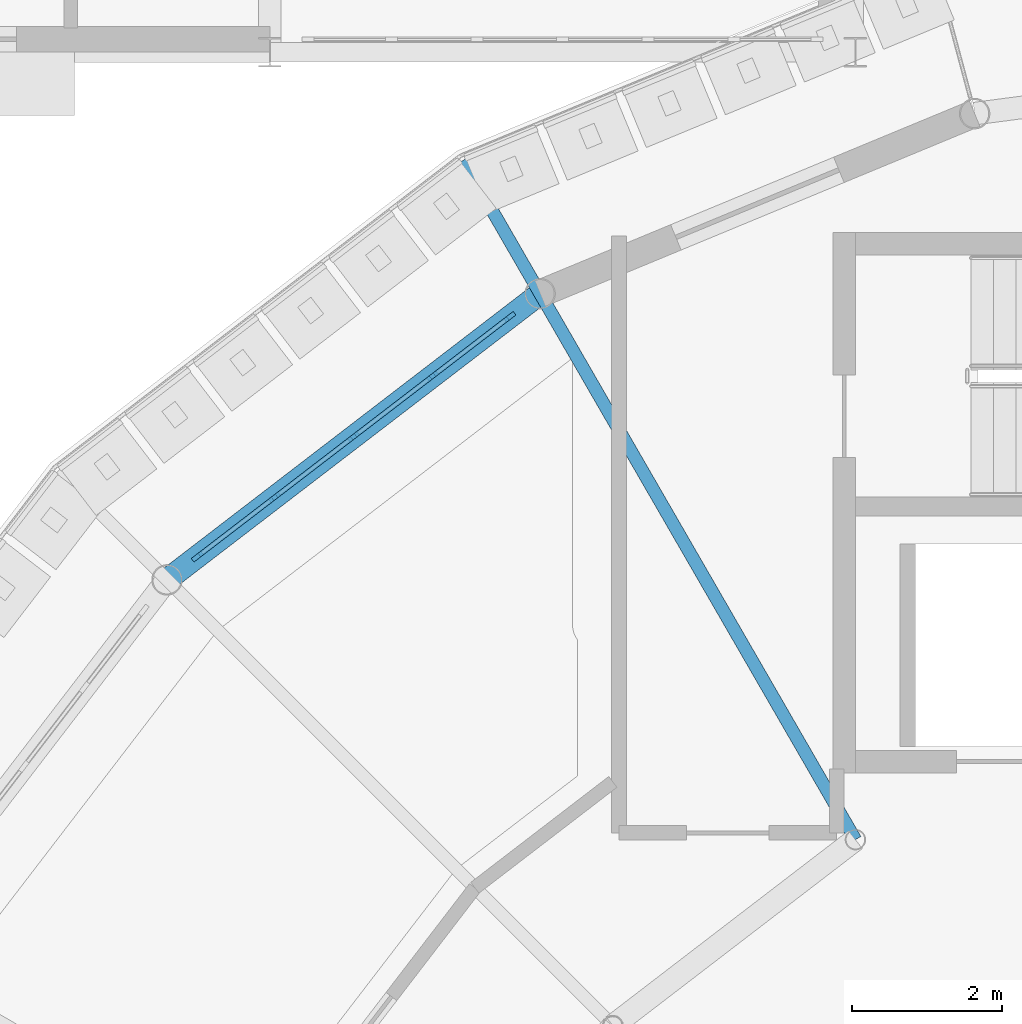
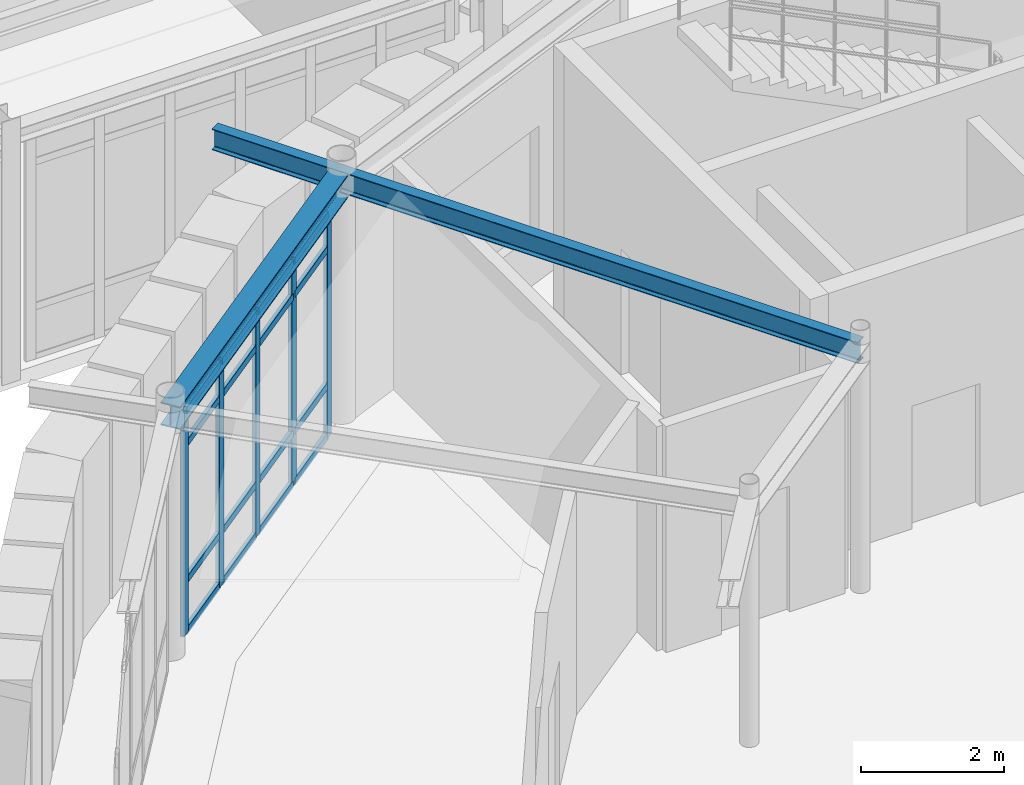
# One storey, part 53 of 106: 21 members, 2 beams, 1 element without a shape of its own.
"""IFC4 building model written with IfcOpenShell, lengths in metres."""

import ifcopenshell
import ifcopenshell.guid

model = None  # the IFC model being written
_history = None  # IfcOwnerHistory: only IFC2X3 demands one
_inside = {}  # id of a spatial element -> (the spatial element, [elements in it])
_under = {}  # id of a project, library or spatial element -> (it, [spatial elements below it])
_declared = {}  # id of a project -> (the project, [libraries it declares])
_typed = {}  # id of a type object -> (the type object, [elements of that type])
_made_of = {}  # id of a material, layer set ... -> (it, [elements and type objects made of it])


def new_model(schema):
    """Start an empty IFC model of exactly this schema.

    Asked for "IFC4X3", IfcOpenShell would pick the latest addendum, in which some entities
    have other attributes; the version numbers below select the first issue.
    IFC2X3 requires an IfcOwnerHistory on every rooted entity: one is made here for all.
    """
    global model, _history
    if schema == "IFC4X3":
        model = ifcopenshell.file(schema_version=(4, 3, 0, 0))
    else:
        model = ifcopenshell.file(schema=schema)
    _inside.clear()
    _under.clear()
    _declared.clear()
    _typed.clear()
    _made_of.clear()
    _history = None
    if model.schema == "IFC2X3":
        org = make("IfcOrganization", Name="unknown")
        user = make(
            "IfcPersonAndOrganization",
            ThePerson=make("IfcPerson", FamilyName="unknown"),
            TheOrganization=org,
        )
        app = make(
            "IfcApplication",
            ApplicationDeveloper=org,
            Version="unknown",
            ApplicationFullName="unknown",
            ApplicationIdentifier="unknown",
        )
        _history = make(
            "IfcOwnerHistory",
            OwningUser=user,
            OwningApplication=app,
            ChangeAction="ADDED",
            CreationDate=0,
        )
    return model


def make(cls, **values):
    """One entity of the class cls with the attributes given. An attribute that is None is left unset."""
    return model.create_entity(
        cls, **{name: value for name, value in values.items() if value is not None}
    )


def rooted(cls, **values):
    """An entity with a GlobalId (a new one), such as an element, a storey or a relation."""
    return make(cls, GlobalId=ifcopenshell.guid.new(), OwnerHistory=_history, **values)


def si_unit(unit_type, name, prefix=None):
    """IfcSIUnit, for example si_unit("LENGTHUNIT", "METRE", prefix="MILLI")."""
    return make("IfcSIUnit", UnitType=unit_type, Prefix=prefix, Name=name)


def derived_unit(unit_type, elements):
    """IfcDerivedUnit: a product of units, each with its exponent."""
    return make(
        "IfcDerivedUnit",
        Elements=[
            make("IfcDerivedUnitElement", Unit=unit, Exponent=power)
            for unit, power in elements
        ],
        UnitType=unit_type,
    )


def assignment(units):
    """IfcUnitAssignment: the units of a project."""
    return None if units is None else make("IfcUnitAssignment", Units=units)


def point(xyz):
    """IfcCartesianPoint."""
    return None if xyz is None else make("IfcCartesianPoint", Coordinates=xyz)


def direction(xyz):
    """IfcDirection."""
    return None if xyz is None else make("IfcDirection", DirectionRatios=xyz)


def frame(location, z_axis=None, x_axis=None):
    """IfcAxis2Placement3D, a coordinate frame: its origin and axes. An axis left out is left unset."""
    return make(
        "IfcAxis2Placement3D",
        Location=point(location),
        Axis=direction(z_axis),
        RefDirection=direction(x_axis),
    )


def frame_2d(location, x_axis=None):
    """IfcAxis2Placement2D, a coordinate frame in the plane: its origin and x axis."""
    return make(
        "IfcAxis2Placement2D", Location=point(location), RefDirection=direction(x_axis)
    )


def origin():
    """The frame at (0, 0, 0) with its axes left unset."""
    return frame((0.0, 0.0, 0.0))


def origin_2d():
    """The frame at (0, 0) in the plane with its x axis left unset."""
    return frame_2d((0.0, 0.0))


def place(relative_to, where):
    """IfcLocalPlacement: puts the frame where relative to a parent placement (None: the world)."""
    return make(
        "IfcLocalPlacement", PlacementRelTo=relative_to, RelativePlacement=where
    )


def context(
    kind, dimensions, precision=None, world=None, true_north=None, identifier=None
):
    """IfcGeometricRepresentationContext, for example the 3D "Model" context."""
    return make(
        "IfcGeometricRepresentationContext",
        ContextIdentifier=identifier,
        ContextType=kind,
        CoordinateSpaceDimension=dimensions,
        Precision=precision,
        WorldCoordinateSystem=world,
        TrueNorth=true_north,
    )


def subcontext(parent, identifier, kind, view, scale=None):
    """IfcGeometricRepresentationSubContext, for example "Body" below "Model"."""
    return make(
        "IfcGeometricRepresentationSubContext",
        ContextIdentifier=identifier,
        ContextType=kind,
        ParentContext=parent,
        TargetScale=scale,
        TargetView=view,
    )


def project(units=None, contexts=None):
    """IfcProject with its units and contexts."""
    return rooted(
        "IfcProject",
        Name="project",
        RepresentationContexts=contexts,
        UnitsInContext=assignment(units),
    )


def spatial(cls, under=None, at=None, **own):
    """A site, building, storey or space (cls), placed at a placement, below another one or the project."""
    s = rooted(cls, ObjectPlacement=at, **own)
    if under is not None:
        _under.setdefault(under.id(), (under, []))[1].append(s)
    return s


def profile(cls, at=None, kind="AREA", **sizes):
    """A parametric profile (cls). Its sizes go by their IFC names, for example OverallWidth=200.0."""
    return make(cls, ProfileType=kind, Position=at, **sizes)


def rectangle(**sizes):
    """IfcRectangleProfileDef."""
    return profile("IfcRectangleProfileDef", **sizes)


def i_section(**sizes):
    """IfcIShapeProfileDef."""
    return profile("IfcIShapeProfileDef", **sizes)


def extrude(swept, where, along, depth):
    """IfcExtrudedAreaSolid: the profile swept, set in the frame where, extruded along a direction by depth."""
    return make(
        "IfcExtrudedAreaSolid",
        SweptArea=swept,
        Position=where,
        ExtrudedDirection=direction(along),
        Depth=depth,
    )


def shape(context_of_items, identifier, shape_type, items):
    """IfcShapeRepresentation: the items that make up one representation, for example the "Body"."""
    return make(
        "IfcShapeRepresentation",
        ContextOfItems=context_of_items,
        RepresentationIdentifier=identifier,
        RepresentationType=shape_type,
        Items=items,
    )


def material(Name=None, Category=None):
    """IfcMaterial."""
    return make("IfcMaterial", Name=Name, Category=Category)


def layer(
    of_material, thickness, ventilated=None, Name=None, Category=None, Priority=None
):
    """IfcMaterialLayer: one layer of a wall or slab, of a material (None: an air gap)."""
    return make(
        "IfcMaterialLayer",
        Material=of_material,
        LayerThickness=thickness,
        IsVentilated=ventilated,
        Name=Name,
        Category=Category,
        Priority=Priority,
    )


def layer_set(layers, Name=None):
    """IfcMaterialLayerSet."""
    return make("IfcMaterialLayerSet", MaterialLayers=layers, LayerSetName=Name)


def material_profile(
    of_material, cross_section, Name=None, Category=None, Priority=None
):
    """IfcMaterialProfile: a cross section and its material."""
    return make(
        "IfcMaterialProfile",
        Name=Name,
        Material=of_material,
        Profile=cross_section,
        Priority=Priority,
        Category=Category,
    )


def profile_set(profiles, Name=None, composite=None):
    """IfcMaterialProfileSet."""
    return make(
        "IfcMaterialProfileSet",
        Name=Name,
        MaterialProfiles=profiles,
        CompositeProfile=composite,
    )


def made_of(thing, what):
    """Note that an element or type object is made of a material, layer set ...; save() writes the relation."""
    if what is not None:
        _made_of.setdefault(what.id(), (what, []))[1].append(thing)
    return thing


def type_object(cls, material=None, **own):
    """A type object (cls), such as IfcWallType, which elements share."""
    return made_of(rooted(cls, **own), material)


def element(
    cls,
    number,
    at=None,
    inside=None,
    cuts=None,
    type_object=None,
    material=None,
    context=None,
    identifier="Body",
    shape_type=None,
    held_by="IfcProductDefinitionShape",
    body=None,
    shapes=None,
    **own,
):
    """One element of the class cls, such as IfcWall. Its Tag is "e" and its number.

    at: its placement. inside: the storey or other place that contains it. cuts: it is an
    opening in that element (IfcRelVoidsElement). A single representation is given by context,
    identifier, shape_type and body (its items); several are given by shapes. held_by: the class
    of the entity that holds the representations. save() writes the other relations.
    """
    e = rooted(cls, Tag="e%d" % number, ObjectPlacement=at, **own)
    if body is not None:
        shapes = [shape(context, identifier, shape_type, body)]
    if shapes is not None:
        e.Representation = make(held_by, Representations=shapes)
    if inside is not None:
        _inside.setdefault(inside.id(), (inside, []))[1].append(e)
    if cuts is not None:
        rooted(
            "IfcRelVoidsElement", RelatingBuildingElement=cuts, RelatedOpeningElement=e
        )
    if type_object is not None:
        _typed.setdefault(type_object.id(), (type_object, []))[1].append(e)
    return made_of(e, material)


def aggregate(whole, parts):
    """IfcRelAggregates: a whole, such as a stair, and the parts it consists of."""
    return rooted("IfcRelAggregates", RelatingObject=whole, RelatedObjects=parts)


def save(model, path):
    """Write the relations noted so far, then the file.

    IfcRelAggregates (storeys below a building ...), IfcRelContainedInSpatialStructure (elements
    in a storey), IfcRelDefinesByType, IfcRelAssociatesMaterial and IfcRelDeclares: one each for
    every whole, place, type object, material and project.
    """
    for whole, parts in _under.values():
        aggregate(whole, parts)
    for where, things in _inside.values():
        rooted(
            "IfcRelContainedInSpatialStructure",
            RelatedElements=things,
            RelatingStructure=where,
        )
    for kind, things in _typed.values():
        rooted("IfcRelDefinesByType", RelatedObjects=things, RelatingType=kind)
    for what, things in _made_of.values():
        rooted("IfcRelAssociatesMaterial", RelatedObjects=things, RelatingMaterial=what)
    for by, libraries in _declared.values():
        rooted("IfcRelDeclares", RelatingContext=by, RelatedDefinitions=libraries)
    model.write(path)


model = new_model("IFC4")

# Units and contexts
model_context = context("Model", 3, precision=1e-05, world=origin(), true_north=direction((0.0, 1.0)))
body_context = subcontext(model_context, "Body", "Model", "MODEL_VIEW")
ifc_project = project(units=[si_unit("LENGTHUNIT", "METRE"), si_unit("AREAUNIT", "SQUARE_METRE"), si_unit("VOLUMEUNIT", "CUBIC_METRE"), si_unit("PLANEANGLEUNIT", "RADIAN"), si_unit("MASSUNIT", "GRAM", prefix="KILO"), derived_unit("THERMALTRANSMITTANCEUNIT", [(si_unit("POWERUNIT", "WATT"), 1), (si_unit("AREAUNIT", "SQUARE_METRE"), -1), (si_unit("THERMODYNAMICTEMPERATUREUNIT", "KELVIN"), -1)])], contexts=[model_context])

# Site, building, storey
site_placement = place(None, origin())
site = spatial("IfcSite", under=ifc_project, at=site_placement, CompositionType="ELEMENT")
building_placement = place(site_placement, origin())
building = spatial("IfcBuilding", under=site, at=building_placement, Name="Yasenodar Specialist Clinic", CompositionType="ELEMENT")
storey_placement = place(building_placement, frame((0.0, 0.0, 4.5)))
storey = spatial("IfcBuildingStorey", under=building, at=storey_placement, Name="L01", CompositionType="ELEMENT", Elevation=4.5)

# Beams
ifc_material_1 = material(Name="Steel S355", Category="steel")
ifc_material_profile_1 = material_profile(ifc_material_1, i_section(OverallWidth=0.300048828125, OverallDepth=0.389892578125, WebThickness=0.010986328125, FlangeThickness=0.01904296875, FilletRadius=0.027099609375, at=origin_2d()), Name="HEA 400")
ifc_profile_set_1 = profile_set([ifc_material_profile_1], Name="Steel S355")
beam_type_1 = type_object("IfcBeamType", Name="BM-HEA400", PredefinedType="BEAM", material=ifc_profile_set_1)
beam_1_placement = place(storey_placement, frame((69.0, 79.584716796875, 4.054931640625), z_axis=(-0.793349152542, -0.608766886551, 0.0), x_axis=(0.608766886551, -0.793349152542, 0.0)))
element("IfcBeam", 1, at=beam_1_placement, inside=storey, type_object=beam_type_1, Name="L01 Drum V1 Perimeter Ring Beam", PredefinedType="BEAM", context=body_context, shape_type="SweptSolid", body=[
    extrude(i_section(OverallWidth=0.300048828125, OverallDepth=0.389892578125, WebThickness=0.010986328125, FlangeThickness=0.01904296875, FilletRadius=0.027099609375, at=origin_2d()), origin(), (0.0, 0.0, 1.0), 6.265380859375),
])
ifc_material_profile_2 = material_profile(ifc_material_1, i_section(OverallWidth=0.169921875, OverallDepth=0.360107421875, WebThickness=0.008056640625, FlangeThickness=0.0126953125, FilletRadius=0.01806640625, at=origin_2d()), Name="IPE 360")
ifc_profile_set_2 = profile_set([ifc_material_profile_2], Name="Steel S355")
beam_type_2 = type_object("IfcBeamType", Name="BM-IPE360", PredefinedType="BEAM", material=ifc_profile_set_2)
beam_2_placement = place(storey_placement, frame((73.199951171875, 72.31005859375, 4.070068359375), z_axis=(-0.499986032603, 0.866033467715, 0.0), x_axis=(-0.866033467715, -0.499986032603, 0.0)))
element("IfcBeam", 2, at=beam_2_placement, inside=storey, type_object=beam_type_2, Name="L01 Drum V1 Radial Back-Spanned Cantilever Beam", PredefinedType="BEAM", context=body_context, shape_type="SweptSolid", body=[
    extrude(i_section(OverallWidth=0.169921875, OverallDepth=0.360107421875, WebThickness=0.008056640625, FlangeThickness=0.0126953125, FilletRadius=0.01806640625, at=origin_2d()), origin(), (0.0, 0.0, 1.0), 10.449951171875),
])

# Curtain wall, members
ifc_material_2 = material(Name="Bronze Anodized Aluminium and Triple Low-E Glass", Category="aluminium")
ifc_layer = layer(ifc_material_2, 0.1669921875)
ifc_layer_set = layer_set([ifc_layer], Name="Bronze Anodized Aluminium and Triple Low-E Glass")
curtain_wall_type = type_object("IfcCurtainWallType", Name="CW-SYS-01", PredefinedType="USERDEFINED", material=ifc_layer_set)
curtain_wall_placement = place(storey_placement, origin())
curtain_wall = element("IfcCurtainWall", 3, at=curtain_wall_placement, inside=storey, type_object=curtain_wall_type, Name="L01 Unitised Curtain Wall 017", ObjectType="UNITISED CURTAIN WALL", PredefinedType="USERDEFINED")
ifc_material_3 = material(Name="Bronze Anodized Aluminium", Category="aluminium")
ifc_material_profile_3 = material_profile(ifc_material_3, rectangle(XDim=0.06005859375, YDim=0.159912109375, at=origin_2d()), Name="CW-MULL 60x160")
ifc_profile_set_3 = profile_set([ifc_material_profile_3], Name="Bronze Anodized Aluminium")
member_type_1 = type_object("IfcMemberType", Name="CW-MULL-160", PredefinedType="MULLION", material=ifc_profile_set_3)
member_1_placement = place(storey_placement, frame((64.43408203125, 76.0810546875, 0.0), z_axis=(0.0, 0.0, 1.0), x_axis=(-0.608752021844, 0.793360558574, 0.0)))
member_1 = element("IfcMember", 4, at=member_1_placement, type_object=member_type_1, Name="CW-01 mullion 1", PredefinedType="MULLION", context=body_context, shape_type="SweptSolid", body=[
    extrude(rectangle(XDim=0.06005859375, YDim=0.159912109375, at=origin_2d()), origin(), (0.0, 0.0, 1.0), 3.837890625),
])
member_2_placement = place(storey_placement, frame((65.46240234375, 76.8701171875, 0.0), z_axis=(0.0, 0.0, 1.0), x_axis=(-0.608752021844, 0.793360558574, 0.0)))
member_2 = element("IfcMember", 5, at=member_2_placement, type_object=member_type_1, Name="CW-01 mullion 2", PredefinedType="MULLION", context=body_context, shape_type="SweptSolid", body=[
    extrude(rectangle(XDim=0.06005859375, YDim=0.159912109375, at=origin_2d()), origin(), (0.0, 0.0, 1.0), 3.837890625),
])
member_3_placement = place(storey_placement, frame((66.5146484375, 77.677490234375, 0.0), z_axis=(0.0, 0.0, 1.0), x_axis=(-0.608752021844, 0.793360558574, 0.0)))
member_3 = element("IfcMember", 6, at=member_3_placement, type_object=member_type_1, Name="CW-01 mullion 3", PredefinedType="MULLION", context=body_context, shape_type="SweptSolid", body=[
    extrude(rectangle(XDim=0.06005859375, YDim=0.159912109375, at=origin_2d()), origin(), (0.0, 0.0, 1.0), 3.837890625),
])
member_4_placement = place(storey_placement, frame((67.56689453125, 78.485107421875, 0.0), z_axis=(0.0, 0.0, 1.0), x_axis=(-0.608752021844, 0.793360558574, 0.0)))
member_4 = element("IfcMember", 7, at=member_4_placement, type_object=member_type_1, Name="CW-01 mullion 4", PredefinedType="MULLION", context=body_context, shape_type="SweptSolid", body=[
    extrude(rectangle(XDim=0.06005859375, YDim=0.159912109375, at=origin_2d()), origin(), (0.0, 0.0, 1.0), 3.837890625),
])
member_5_placement = place(storey_placement, frame((68.595458984375, 79.274169921875, 0.0), z_axis=(0.0, 0.0, 1.0), x_axis=(-0.608752021844, 0.793360558574, 0.0)))
member_5 = element("IfcMember", 8, at=member_5_placement, type_object=member_type_1, Name="CW-01 mullion 5", PredefinedType="MULLION", context=body_context, shape_type="SweptSolid", body=[
    extrude(rectangle(XDim=0.06005859375, YDim=0.159912109375, at=origin_2d()), origin(), (0.0, 0.0, 1.0), 3.837890625),
])
ifc_material_profile_4 = material_profile(ifc_material_3, rectangle(XDim=0.06005859375, YDim=0.1201171875, at=origin_2d()), Name="CW-TRAN 60x120")
ifc_profile_set_4 = profile_set([ifc_material_profile_4], Name="Bronze Anodized Aluminium")
member_type_2 = type_object("IfcMemberType", Name="CW-TRAN-120", PredefinedType="USERDEFINED", material=ifc_profile_set_4)
member_6_placement = place(storey_placement, frame((64.457763671875, 76.099365234375, 0.030029296875), z_axis=(0.793364768151, 0.608746535642, 0.0), x_axis=(-0.608746535642, 0.793364768151, 0.0)))
member_6 = element("IfcMember", 9, at=member_6_placement, type_object=member_type_2, Name="CW-01 transom 1.1", ObjectType="TRANSOM", PredefinedType="USERDEFINED", context=body_context, shape_type="SweptSolid", body=[
    extrude(rectangle(XDim=0.06005859375, YDim=0.1201171875, at=origin_2d()), origin(), (0.0, 0.0, 1.0), 1.236572265625),
])
member_7_placement = place(storey_placement, frame((64.457763671875, 76.099365234375, 0.89990234375), z_axis=(0.793364768151, 0.608746535642, 0.0), x_axis=(-0.608746535642, 0.793364768151, 0.0)))
member_7 = element("IfcMember", 10, at=member_7_placement, type_object=member_type_2, Name="CW-01 transom 1.2", ObjectType="TRANSOM", PredefinedType="USERDEFINED", context=body_context, shape_type="SweptSolid", body=[
    extrude(rectangle(XDim=0.06005859375, YDim=0.1201171875, at=origin_2d()), origin(), (0.0, 0.0, 1.0), 1.236572265625),
])
member_8_placement = place(storey_placement, frame((64.457763671875, 76.099365234375, 3.238037109375), z_axis=(0.793364768151, 0.608746535642, 0.0), x_axis=(-0.608746535642, 0.793364768151, 0.0)))
member_8 = element("IfcMember", 11, at=member_8_placement, type_object=member_type_2, Name="CW-01 transom 1.3", ObjectType="TRANSOM", PredefinedType="USERDEFINED", context=body_context, shape_type="SweptSolid", body=[
    extrude(rectangle(XDim=0.06005859375, YDim=0.1201171875, at=origin_2d()), origin(), (0.0, 0.0, 1.0), 1.236572265625),
])
member_9_placement = place(storey_placement, frame((64.457763671875, 76.099365234375, 3.80810546875), z_axis=(0.793364768151, 0.608746535642, 0.0), x_axis=(-0.608746535642, 0.793364768151, 0.0)))
member_9 = element("IfcMember", 12, at=member_9_placement, type_object=member_type_2, Name="CW-01 transom 1.4", ObjectType="TRANSOM", PredefinedType="USERDEFINED", context=body_context, shape_type="SweptSolid", body=[
    extrude(rectangle(XDim=0.06005859375, YDim=0.1201171875, at=origin_2d()), origin(), (0.0, 0.0, 1.0), 1.236572265625),
])
member_10_placement = place(storey_placement, frame((65.486328125, 76.888427734375, 0.030029296875), z_axis=(0.793311491475, 0.608815963567, 0.0), x_axis=(-0.608815963567, 0.793311491475, 0.0)))
member_10 = element("IfcMember", 13, at=member_10_placement, type_object=member_type_2, Name="CW-01 transom 2.1", ObjectType="TRANSOM", PredefinedType="USERDEFINED", context=body_context, shape_type="SweptSolid", body=[
    extrude(rectangle(XDim=0.06005859375, YDim=0.1201171875, at=origin_2d()), origin(), (0.0, 0.0, 1.0), 1.266357421875),
])
member_11_placement = place(storey_placement, frame((65.486328125, 76.888427734375, 0.89990234375), z_axis=(0.793311491475, 0.608815963567, 0.0), x_axis=(-0.608815963567, 0.793311491475, 0.0)))
member_11 = element("IfcMember", 14, at=member_11_placement, type_object=member_type_2, Name="CW-01 transom 2.2", ObjectType="TRANSOM", PredefinedType="USERDEFINED", context=body_context, shape_type="SweptSolid", body=[
    extrude(rectangle(XDim=0.06005859375, YDim=0.1201171875, at=origin_2d()), origin(), (0.0, 0.0, 1.0), 1.266357421875),
])
member_12_placement = place(storey_placement, frame((65.486328125, 76.888427734375, 3.238037109375), z_axis=(0.793311491475, 0.608815963567, 0.0), x_axis=(-0.608815963567, 0.793311491475, 0.0)))
member_12 = element("IfcMember", 15, at=member_12_placement, type_object=member_type_2, Name="CW-01 transom 2.3", ObjectType="TRANSOM", PredefinedType="USERDEFINED", context=body_context, shape_type="SweptSolid", body=[
    extrude(rectangle(XDim=0.06005859375, YDim=0.1201171875, at=origin_2d()), origin(), (0.0, 0.0, 1.0), 1.266357421875),
])
member_13_placement = place(storey_placement, frame((65.486328125, 76.888427734375, 3.80810546875), z_axis=(0.793311491475, 0.608815963567, 0.0), x_axis=(-0.608815963567, 0.793311491475, 0.0)))
member_13 = element("IfcMember", 16, at=member_13_placement, type_object=member_type_2, Name="CW-01 transom 2.4", ObjectType="TRANSOM", PredefinedType="USERDEFINED", context=body_context, shape_type="SweptSolid", body=[
    extrude(rectangle(XDim=0.06005859375, YDim=0.1201171875, at=origin_2d()), origin(), (0.0, 0.0, 1.0), 1.266357421875),
])
member_14_placement = place(storey_placement, frame((66.53857421875, 77.69580078125, 0.030029296875), z_axis=(0.793311491475, 0.608815963567, 0.0), x_axis=(-0.608815963567, 0.793311491475, 0.0)))
member_14 = element("IfcMember", 17, at=member_14_placement, type_object=member_type_2, Name="CW-01 transom 3.1", ObjectType="TRANSOM", PredefinedType="USERDEFINED", context=body_context, shape_type="SweptSolid", body=[
    extrude(rectangle(XDim=0.06005859375, YDim=0.1201171875, at=origin_2d()), origin(), (0.0, 0.0, 1.0), 1.266357421875),
])
member_15_placement = place(storey_placement, frame((66.53857421875, 77.69580078125, 0.89990234375), z_axis=(0.793311491475, 0.608815963567, 0.0), x_axis=(-0.608815963567, 0.793311491475, 0.0)))
member_15 = element("IfcMember", 18, at=member_15_placement, type_object=member_type_2, Name="CW-01 transom 3.2", ObjectType="TRANSOM", PredefinedType="USERDEFINED", context=body_context, shape_type="SweptSolid", body=[
    extrude(rectangle(XDim=0.06005859375, YDim=0.1201171875, at=origin_2d()), origin(), (0.0, 0.0, 1.0), 1.266357421875),
])
member_16_placement = place(storey_placement, frame((66.53857421875, 77.69580078125, 3.238037109375), z_axis=(0.793311491475, 0.608815963567, 0.0), x_axis=(-0.608815963567, 0.793311491475, 0.0)))
member_16 = element("IfcMember", 19, at=member_16_placement, type_object=member_type_2, Name="CW-01 transom 3.3", ObjectType="TRANSOM", PredefinedType="USERDEFINED", context=body_context, shape_type="SweptSolid", body=[
    extrude(rectangle(XDim=0.06005859375, YDim=0.1201171875, at=origin_2d()), origin(), (0.0, 0.0, 1.0), 1.266357421875),
])
member_17_placement = place(storey_placement, frame((66.53857421875, 77.69580078125, 3.80810546875), z_axis=(0.793311491475, 0.608815963567, 0.0), x_axis=(-0.608815963567, 0.793311491475, 0.0)))
member_17 = element("IfcMember", 20, at=member_17_placement, type_object=member_type_2, Name="CW-01 transom 3.4", ObjectType="TRANSOM", PredefinedType="USERDEFINED", context=body_context, shape_type="SweptSolid", body=[
    extrude(rectangle(XDim=0.06005859375, YDim=0.1201171875, at=origin_2d()), origin(), (0.0, 0.0, 1.0), 1.266357421875),
])
member_18_placement = place(storey_placement, frame((67.5908203125, 78.503173828125, 0.030029296875), z_axis=(0.793291580461, 0.608841907534, 0.0), x_axis=(-0.608841907534, 0.793291580461, 0.0)))
member_18 = element("IfcMember", 21, at=member_18_placement, type_object=member_type_2, Name="CW-01 transom 4.1", ObjectType="TRANSOM", PredefinedType="USERDEFINED", context=body_context, shape_type="SweptSolid", body=[
    extrude(rectangle(XDim=0.06005859375, YDim=0.1201171875, at=origin_2d()), origin(), (0.0, 0.0, 1.0), 1.236328125),
])
member_19_placement = place(storey_placement, frame((67.5908203125, 78.503173828125, 0.89990234375), z_axis=(0.793291580461, 0.608841907534, 0.0), x_axis=(-0.608841907534, 0.793291580461, 0.0)))
member_19 = element("IfcMember", 22, at=member_19_placement, type_object=member_type_2, Name="CW-01 transom 4.2", ObjectType="TRANSOM", PredefinedType="USERDEFINED", context=body_context, shape_type="SweptSolid", body=[
    extrude(rectangle(XDim=0.06005859375, YDim=0.1201171875, at=origin_2d()), origin(), (0.0, 0.0, 1.0), 1.236328125),
])
member_20_placement = place(storey_placement, frame((67.5908203125, 78.503173828125, 3.238037109375), z_axis=(0.793291580461, 0.608841907534, 0.0), x_axis=(-0.608841907534, 0.793291580461, 0.0)))
member_20 = element("IfcMember", 23, at=member_20_placement, type_object=member_type_2, Name="CW-01 transom 4.3", ObjectType="TRANSOM", PredefinedType="USERDEFINED", context=body_context, shape_type="SweptSolid", body=[
    extrude(rectangle(XDim=0.06005859375, YDim=0.1201171875, at=origin_2d()), origin(), (0.0, 0.0, 1.0), 1.236328125),
])
member_21_placement = place(storey_placement, frame((67.5908203125, 78.503173828125, 3.80810546875), z_axis=(0.793291580461, 0.608841907534, 0.0), x_axis=(-0.608841907534, 0.793291580461, 0.0)))
member_21 = element("IfcMember", 24, at=member_21_placement, type_object=member_type_2, Name="CW-01 transom 4.4", ObjectType="TRANSOM", PredefinedType="USERDEFINED", context=body_context, shape_type="SweptSolid", body=[
    extrude(rectangle(XDim=0.06005859375, YDim=0.1201171875, at=origin_2d()), origin(), (0.0, 0.0, 1.0), 1.236328125),
])
aggregate(curtain_wall, [member_1, member_2, member_3, member_4, member_5, member_6, member_7, member_8, member_9, member_10, member_11, member_12, member_13, member_14, member_15, member_16, member_17, member_18, member_19, member_20, member_21])

save(model, "model.ifc")
